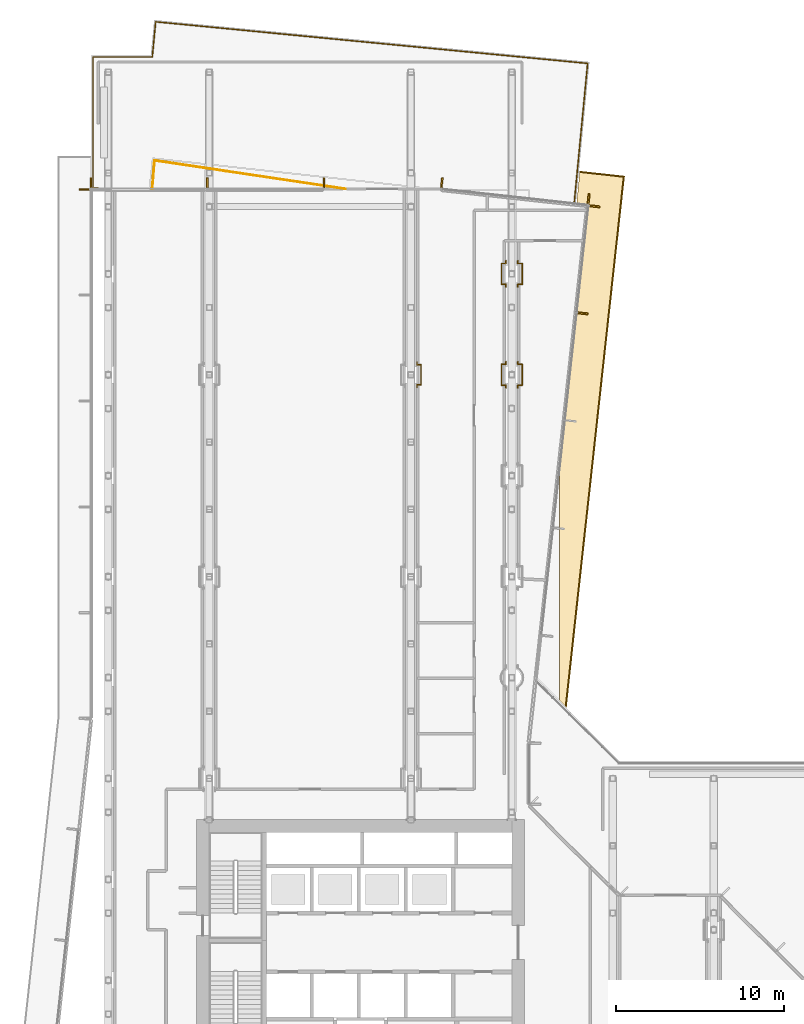
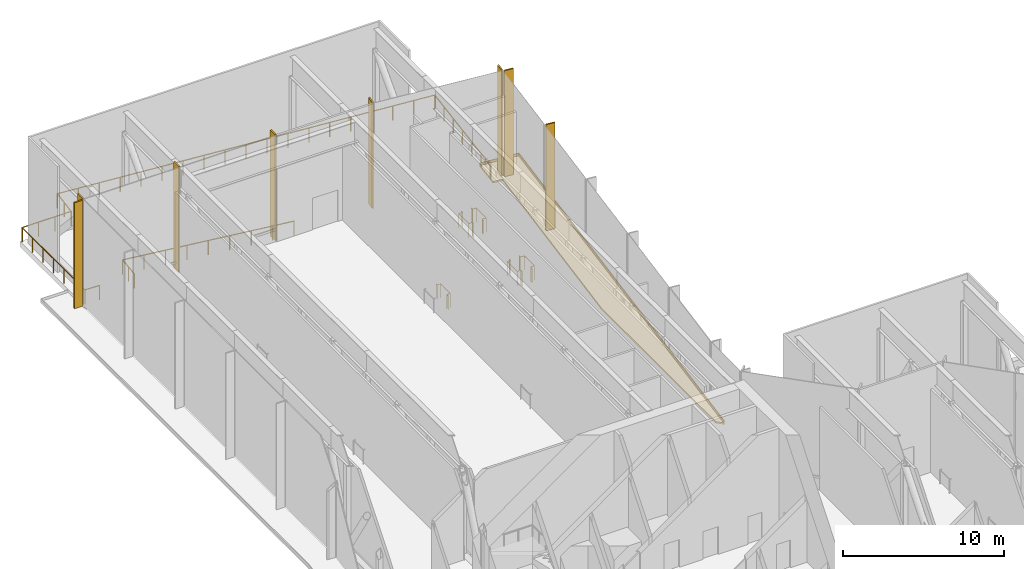
# One storey, part 23 of 24: 10 coverings, 7 railings.
"""IFC4 building model written with IfcOpenShell, lengths in metres."""

from ifc_helpers import new_model, si_unit, direction, frame, origin, origin_2d, place, context, subcontext, project, spatial, polyline, rectangle, circle, outline, extrude, material, layer, layer_set, type_object, element, save


model = new_model("IFC4")

# Units and contexts
model_context = context("Model", 3, precision=1e-05, world=origin(), true_north=direction((0.0, 1.0)))
body_context = subcontext(model_context, "Body", "Model", "MODEL_VIEW")
ifc_project = project(units=[si_unit("LENGTHUNIT", "METRE"), si_unit("AREAUNIT", "SQUARE_METRE"), si_unit("VOLUMEUNIT", "CUBIC_METRE"), si_unit("PLANEANGLEUNIT", "RADIAN"), si_unit("MASSUNIT", "GRAM", prefix="KILO")], contexts=[model_context])

# Site, building, storey
site_placement = place(None, origin())
site = spatial("IfcSite", under=ifc_project, at=site_placement, CompositionType="ELEMENT")
building_placement = place(site_placement, origin())
building = spatial("IfcBuilding", under=site, at=building_placement, Name="Welwitschia Terrace Campus", CompositionType="ELEMENT")
storey_placement = place(building_placement, frame((0.0, 0.0, 138.199951171875)))
storey = spatial("IfcBuildingStorey", under=building, at=storey_placement, Name="L31", CompositionType="ELEMENT", Elevation=138.199951171875)

# Coverings
ifc_material_1 = material(Name="Bronze anodised aluminium", Category="aluminium")
ifc_layer_1 = layer(ifc_material_1, 0.10009765625)
ifc_layer_set_1 = layer_set([ifc_layer_1], Name="Bronze anodised aluminium")
covering_type_1 = type_object("IfcCoveringType", Name="Bronze fin 100x600", PredefinedType="USERDEFINED", material=ifc_layer_set_1)
for number, where, z_axis, x_axis, name in (
    (1, (28.228271484375, 55.653564453125, 0.0), (0.0, 0.0, 1.0), (0.108866874852, 0.994056338222, 0.0), "Fin L31.10.4"),
    (2, (28.92529296875, 62.0166015625, 0.0), (0.0, 0.0, 1.0), (0.108866874852, 0.994056338222, 0.0), "Fin L31.10.5"),
    (3, (28.562255859375, 62.468994140625, 0.0), (0.0, 0.0, 1.0), (-0.994056338222, 0.108866874852, 0.0), "Fin L31.11.0"),
    (4, (19.8369140625, 63.424560546875, 0.0), (0.0, 0.0, 1.0), (-0.994056338222, 0.108866874852, 0.0), "Fin L31.11.1"),
    (5, (12.8271484375, 63.429931640625, 0.0), (0.0, 0.0, 1.0), (-1.0, 0.0, 0.0), "Fin L31.12.1"),
    (6, (5.888671875, 63.429931640625, 0.0), (0.0, 0.0, 1.0), (-1.0, 0.0, 0.0), "Fin L31.12.2"),
    (7, (-1.02001953125, 63.429931640625, 0.0), (0.0, 0.0, 1.0), (-1.0, 0.0, 0.0), "Fin L31.12.3"),
    (8, (-1.429931640625, 63.02001953125, 0.0), (0.0, 0.0, 1.0), (0.0, -1.0, 0.0), "Fin L31.13.0"),
):
    element("IfcCovering", number, at=place(storey_placement, frame(where, z_axis=z_axis, x_axis=x_axis)), inside=storey, type_object=covering_type_1, Name=name, ObjectType="FIN", PredefinedType="USERDEFINED", context=body_context, shape_type="SweptSolid", body=[
        extrude(rectangle(XDim=0.10009765625, YDim=0.60009765625, at=origin_2d()), origin(), (0.0, 0.0, 1.0), 8.050048828125),
    ])

# Railings
ifc_material_2 = material(Name="Stainless steel grade 316", Category="steel")
railing_type = type_object("IfcRailingType", Name="Guard 1100", PredefinedType="GUARDRAIL", material=ifc_material_2)
railing_1_placement = place(storey_placement, frame((0.114990234375, 63.050048828125, 0.0)))
element("IfcRailing", 9, at=railing_1_placement, inside=storey, type_object=railing_type, Name="Guard terrace L31:1:0.0", PredefinedType="GUARDRAIL", context=body_context, shape_type="SweptSolid", body=[
    extrude(circle(Radius=0.02392578125, at=origin_2d()), frame((0.0, 0.0, 1.076171875), z_axis=(-0.998786257848, 0.049254554452, 0.0), x_axis=(-0.049254554452, -0.998786257848, 0.0)), (0.0, 0.0, 1.0), 1.01611328125),
    extrude(circle(Radius=0.02392578125, at=origin_2d()), frame((-1.014892578125, 0.050048828125, 1.076171875), z_axis=(0.0, 1.0, 0.0), x_axis=(-1.0, 0.0, 0.0)), (0.0, 0.0, 1.0), 7.7998046875),
    extrude(circle(Radius=0.02392578125, at=origin_2d()), frame((-1.014892578125, 7.849853515625, 1.076171875), z_axis=(1.0, 0.0, 0.0), x_axis=(0.0, 1.0, 0.0)), (0.0, 0.0, 1.0), 3.522705078125),
    extrude(circle(Radius=0.02392578125, at=origin_2d()), frame((2.5078125, 7.849853515625, 1.076171875), z_axis=(0.095858884916, 0.995394933774, 0.0), x_axis=(-0.995394933774, 0.095858884916, 0.0)), (0.0, 0.0, 1.0), 2.09619140625),
    extrude(circle(Radius=0.02392578125, at=origin_2d()), frame((2.708740234375, 9.936279296875, 1.076171875), z_axis=(0.995395964785, -0.095848178336, 0.0), x_axis=(0.095848178336, 0.995395964785, 0.0)), (0.0, 0.0, 1.0), 25.80029296875),
    extrude(circle(Radius=0.02392578125, at=origin_2d()), frame((28.39013671875, 7.46337890625, 1.076171875), z_axis=(-0.095951362953, -0.995386023585, 0.0), x_axis=(0.995386023585, -0.095951362953, 0.0)), (0.0, 0.0, 1.0), 8.37109375),
    extrude(circle(Radius=0.02099609375, at=origin_2d()), origin(), (0.0, 0.0, 1.0), 1.052001953125),
    extrude(circle(Radius=0.02099609375, at=origin_2d()), frame((-1.014892578125, 0.050048828125, 0.0)), (0.0, 0.0, 1.0), 1.052001953125),
    extrude(circle(Radius=0.02099609375, at=origin_2d()), frame((-1.014892578125, 1.35009765625, 0.0)), (0.0, 0.0, 1.0), 1.052001953125),
    extrude(circle(Radius=0.02099609375, at=origin_2d()), frame((-1.014892578125, 2.64990234375, 0.0)), (0.0, 0.0, 1.0), 1.052001953125),
    extrude(circle(Radius=0.02099609375, at=origin_2d()), frame((-1.014892578125, 3.949951171875, 0.0)), (0.0, 0.0, 1.0), 1.052001953125),
    extrude(circle(Radius=0.02099609375, at=origin_2d()), frame((-1.014892578125, 5.25, 0.0)), (0.0, 0.0, 1.0), 1.052001953125),
    extrude(circle(Radius=0.02099609375, at=origin_2d()), frame((-1.014892578125, 6.5498046875, 0.0)), (0.0, 0.0, 1.0), 1.052001953125),
    extrude(circle(Radius=0.02099609375, at=origin_2d()), frame((-1.014892578125, 7.849853515625, 0.0)), (0.0, 0.0, 1.0), 1.052001953125),
    extrude(circle(Radius=0.02099609375, at=origin_2d()), frame((0.159423828125, 7.849853515625, 0.0)), (0.0, 0.0, 1.0), 1.052001953125),
    extrude(circle(Radius=0.02099609375, at=origin_2d()), frame((1.33349609375, 7.849853515625, 0.0)), (0.0, 0.0, 1.0), 1.052001953125),
    extrude(circle(Radius=0.02099609375, at=origin_2d()), frame((2.5078125, 7.849853515625, 0.0)), (0.0, 0.0, 1.0), 1.052001953125),
    extrude(circle(Radius=0.02099609375, at=origin_2d()), frame((2.6083984375, 8.89306640625, 0.0)), (0.0, 0.0, 1.0), 1.052001953125),
    extrude(circle(Radius=0.02099609375, at=origin_2d()), frame((2.708740234375, 9.936279296875, 0.0)), (0.0, 0.0, 1.0), 1.052001953125),
    extrude(circle(Radius=0.02099609375, at=origin_2d()), frame((4.135498046875, 9.798828125, 0.0)), (0.0, 0.0, 1.0), 1.052001953125),
    extrude(circle(Radius=0.02099609375, at=origin_2d()), frame((5.562255859375, 9.66162109375, 0.0)), (0.0, 0.0, 1.0), 1.052001953125),
    extrude(circle(Radius=0.02099609375, at=origin_2d()), frame((6.989013671875, 9.524169921875, 0.0)), (0.0, 0.0, 1.0), 1.052001953125),
    extrude(circle(Radius=0.02099609375, at=origin_2d()), frame((8.415771484375, 9.38671875, 0.0)), (0.0, 0.0, 1.0), 1.052001953125),
    extrude(circle(Radius=0.02099609375, at=origin_2d()), frame((9.842529296875, 9.249267578125, 0.0)), (0.0, 0.0, 1.0), 1.052001953125),
    extrude(circle(Radius=0.02099609375, at=origin_2d()), frame((11.269287109375, 9.112060546875, 0.0)), (0.0, 0.0, 1.0), 1.052001953125),
    extrude(circle(Radius=0.02099609375, at=origin_2d()), frame((12.696044921875, 8.974609375, 0.0)), (0.0, 0.0, 1.0), 1.052001953125),
    extrude(circle(Radius=0.02099609375, at=origin_2d()), frame((14.122802734375, 8.837158203125, 0.0)), (0.0, 0.0, 1.0), 1.052001953125),
    extrude(circle(Radius=0.02099609375, at=origin_2d()), frame((15.54931640625, 8.69970703125, 0.0)), (0.0, 0.0, 1.0), 1.052001953125),
    extrude(circle(Radius=0.02099609375, at=origin_2d()), frame((16.97607421875, 8.5625, 0.0)), (0.0, 0.0, 1.0), 1.052001953125),
    extrude(circle(Radius=0.02099609375, at=origin_2d()), frame((18.40283203125, 8.425048828125, 0.0)), (0.0, 0.0, 1.0), 1.052001953125),
    extrude(circle(Radius=0.02099609375, at=origin_2d()), frame((19.82958984375, 8.28759765625, 0.0)), (0.0, 0.0, 1.0), 1.052001953125),
    extrude(circle(Radius=0.02099609375, at=origin_2d()), frame((21.25634765625, 8.150390625, 0.0)), (0.0, 0.0, 1.0), 1.052001953125),
    extrude(circle(Radius=0.02099609375, at=origin_2d()), frame((22.68310546875, 8.012939453125, 0.0)), (0.0, 0.0, 1.0), 1.052001953125),
    extrude(circle(Radius=0.02099609375, at=origin_2d()), frame((24.10986328125, 7.87548828125, 0.0)), (0.0, 0.0, 1.0), 1.052001953125),
    extrude(circle(Radius=0.02099609375, at=origin_2d()), frame((25.53662109375, 7.738037109375, 0.0)), (0.0, 0.0, 1.0), 1.052001953125),
    extrude(circle(Radius=0.02099609375, at=origin_2d()), frame((26.96337890625, 7.600830078125, 0.0)), (0.0, 0.0, 1.0), 1.052001953125),
    extrude(circle(Radius=0.02099609375, at=origin_2d()), frame((28.39013671875, 7.46337890625, 0.0)), (0.0, 0.0, 1.0), 1.052001953125),
    extrude(circle(Radius=0.02099609375, at=origin_2d()), frame((28.25634765625, 6.07470703125, 0.0)), (0.0, 0.0, 1.0), 1.052001953125),
    extrude(circle(Radius=0.02099609375, at=origin_2d()), frame((28.122314453125, 4.685791015625, 0.0)), (0.0, 0.0, 1.0), 1.052001953125),
    extrude(circle(Radius=0.02099609375, at=origin_2d()), frame((27.988525390625, 3.297119140625, 0.0)), (0.0, 0.0, 1.0), 1.052001953125),
    extrude(circle(Radius=0.02099609375, at=origin_2d()), frame((27.854736328125, 1.908447265625, 0.0)), (0.0, 0.0, 1.0), 1.052001953125),
    extrude(circle(Radius=0.02099609375, at=origin_2d()), frame((27.720703125, 0.51953125, 0.0)), (0.0, 0.0, 1.0), 1.052001953125),
    extrude(circle(Radius=0.02099609375, at=origin_2d()), frame((27.5869140625, -0.869140625, 0.0)), (0.0, 0.0, 1.0), 1.052001953125),
])
railing_2_placement = place(storey_placement, frame((2.620361328125, 63.050048828125, 0.0)))
element("IfcRailing", 10, at=railing_2_placement, inside=storey, type_object=railing_type, Name="Guard floor edge L31.1", PredefinedType="GUARDRAIL", context=body_context, shape_type="SweptSolid", body=[
    extrude(circle(Radius=0.02392578125, at=origin_2d()), frame((0.0, 0.0, 1.076171875), z_axis=(0.080128301181, 0.996784558142, 0.0), x_axis=(-0.996784558142, 0.080128301181, 0.0)), (0.0, 0.0, 1.0), 1.697021484375),
    extrude(circle(Radius=0.02392578125, at=origin_2d()), frame((0.135986328125, 1.691650390625, 1.076171875), z_axis=(0.989053507136, -0.147557310975, 0.0), x_axis=(0.147557310975, 0.989053507136, 0.0)), (0.0, 0.0, 1.0), 11.46435546875),
    extrude(circle(Radius=0.02099609375, at=origin_2d()), origin(), (0.0, 0.0, 1.0), 1.052001953125),
    extrude(circle(Radius=0.02099609375, at=origin_2d()), frame((0.06787109375, 0.845703125, 0.0)), (0.0, 0.0, 1.0), 1.052001953125),
    extrude(circle(Radius=0.02099609375, at=origin_2d()), frame((0.135986328125, 1.691650390625, 0.0)), (0.0, 0.0, 1.0), 1.052001953125),
    extrude(circle(Radius=0.02099609375, at=origin_2d()), frame((1.55322265625, 1.480224609375, 0.0)), (0.0, 0.0, 1.0), 1.052001953125),
    extrude(circle(Radius=0.02099609375, at=origin_2d()), frame((2.970703125, 1.268798828125, 0.0)), (0.0, 0.0, 1.0), 1.052001953125),
    extrude(circle(Radius=0.02099609375, at=origin_2d()), frame((4.38818359375, 1.057373046875, 0.0)), (0.0, 0.0, 1.0), 1.052001953125),
    extrude(circle(Radius=0.02099609375, at=origin_2d()), frame((5.805419921875, 0.845703125, 0.0)), (0.0, 0.0, 1.0), 1.052001953125),
    extrude(circle(Radius=0.02099609375, at=origin_2d()), frame((7.22265625, 0.63427734375, 0.0)), (0.0, 0.0, 1.0), 1.052001953125),
    extrude(circle(Radius=0.02099609375, at=origin_2d()), frame((8.64013671875, 0.4228515625, 0.0)), (0.0, 0.0, 1.0), 1.052001953125),
    extrude(circle(Radius=0.02099609375, at=origin_2d()), frame((10.0576171875, 0.21142578125, 0.0)), (0.0, 0.0, 1.0), 1.052001953125),
    extrude(circle(Radius=0.02099609375, at=origin_2d()), frame((11.474853515625, 0.0, 0.0)), (0.0, 0.0, 1.0), 1.052001953125),
])
railing_3_placement = place(storey_placement, frame((23.64501953125, 52.780029296875, 0.0)))
element("IfcRailing", 11, at=railing_3_placement, inside=storey, type_object=railing_type, Name="Guard floor edge L31.14", PredefinedType="GUARDRAIL", context=body_context, shape_type="SweptSolid", body=[
    extrude(circle(Radius=0.02392578125, at=origin_2d()), frame((0.0, 0.0, 1.076171875), z_axis=(0.0, -1.0, 0.0), x_axis=(1.0, 0.0, 0.0)), (0.0, 0.0, 1.0), 0.159912109375),
    extrude(circle(Radius=0.02392578125, at=origin_2d()), frame((0.0, -0.159912109375, 1.076171875), z_axis=(-1.0, 0.0, 0.0), x_axis=(0.0, -1.0, 0.0)), (0.0, 0.0, 1.0), 0.26513671875),
    extrude(circle(Radius=0.02392578125, at=origin_2d()), frame((-0.26513671875, -0.159912109375, 1.076171875), z_axis=(0.0, -1.0, 0.0), x_axis=(1.0, 0.0, 0.0)), (0.0, 0.0, 1.0), 1.240234375),
    extrude(circle(Radius=0.02392578125, at=origin_2d()), frame((-0.26513671875, -1.400146484375, 1.076171875), z_axis=(1.0, 0.0, 0.0), x_axis=(0.0, 1.0, 0.0)), (0.0, 0.0, 1.0), 0.26513671875),
    extrude(circle(Radius=0.02392578125, at=origin_2d()), frame((0.0, -1.400146484375, 1.076171875), z_axis=(0.0, -1.0, 0.0), x_axis=(1.0, 0.0, 0.0)), (0.0, 0.0, 1.0), 0.159912109375),
    extrude(circle(Radius=0.02099609375, at=origin_2d()), origin(), (0.0, 0.0, 1.0), 1.052001953125),
    extrude(circle(Radius=0.02099609375, at=origin_2d()), frame((0.0, -0.159912109375, 0.0)), (0.0, 0.0, 1.0), 1.052001953125),
    extrude(circle(Radius=0.02099609375, at=origin_2d()), frame((-0.26513671875, -0.159912109375, 0.0)), (0.0, 0.0, 1.0), 1.052001953125),
    extrude(circle(Radius=0.02099609375, at=origin_2d()), frame((-0.26513671875, -1.400146484375, 0.0)), (0.0, 0.0, 1.0), 1.052001953125),
    extrude(circle(Radius=0.02099609375, at=origin_2d()), frame((0.0, -1.400146484375, 0.0)), (0.0, 0.0, 1.0), 1.052001953125),
    extrude(circle(Radius=0.02099609375, at=origin_2d()), frame((0.0, -1.56005859375, 0.0)), (0.0, 0.0, 1.0), 1.052001953125),
])
railing_4_placement = place(storey_placement, frame((24.35498046875, 51.219970703125, 0.0)))
element("IfcRailing", 12, at=railing_4_placement, inside=storey, type_object=railing_type, Name="Guard floor edge L31.15", PredefinedType="GUARDRAIL", context=body_context, shape_type="SweptSolid", body=[
    extrude(circle(Radius=0.02392578125, at=origin_2d()), frame((0.0, 0.0, 1.076171875), z_axis=(0.0, 1.0, 0.0), x_axis=(-1.0, 0.0, 0.0)), (0.0, 0.0, 1.0), 0.159912109375),
    extrude(circle(Radius=0.02392578125, at=origin_2d()), frame((0.0, 0.159912109375, 1.076171875), z_axis=(1.0, 0.0, 0.0), x_axis=(0.0, 1.0, 0.0)), (0.0, 0.0, 1.0), 0.26513671875),
    extrude(circle(Radius=0.02392578125, at=origin_2d()), frame((0.26513671875, 0.159912109375, 1.076171875), z_axis=(0.0, 1.0, 0.0), x_axis=(-1.0, 0.0, 0.0)), (0.0, 0.0, 1.0), 1.240234375),
    extrude(circle(Radius=0.02392578125, at=origin_2d()), frame((0.26513671875, 1.400146484375, 1.076171875), z_axis=(-1.0, 0.0, 0.0), x_axis=(0.0, -1.0, 0.0)), (0.0, 0.0, 1.0), 0.26513671875),
    extrude(circle(Radius=0.02392578125, at=origin_2d()), frame((0.0, 1.400146484375, 1.076171875), z_axis=(0.0, 1.0, 0.0), x_axis=(-1.0, 0.0, 0.0)), (0.0, 0.0, 1.0), 0.159912109375),
    extrude(circle(Radius=0.02099609375, at=origin_2d()), origin(), (0.0, 0.0, 1.0), 1.052001953125),
    extrude(circle(Radius=0.02099609375, at=origin_2d()), frame((0.0, 0.159912109375, 0.0)), (0.0, 0.0, 1.0), 1.052001953125),
    extrude(circle(Radius=0.02099609375, at=origin_2d()), frame((0.26513671875, 0.159912109375, 0.0)), (0.0, 0.0, 1.0), 1.052001953125),
    extrude(circle(Radius=0.02099609375, at=origin_2d()), frame((0.26513671875, 1.400146484375, 0.0)), (0.0, 0.0, 1.0), 1.052001953125),
    extrude(circle(Radius=0.02099609375, at=origin_2d()), frame((0.0, 1.400146484375, 0.0)), (0.0, 0.0, 1.0), 1.052001953125),
    extrude(circle(Radius=0.02099609375, at=origin_2d()), frame((0.0, 1.56005859375, 0.0)), (0.0, 0.0, 1.0), 1.052001953125),
])
railing_5_placement = place(storey_placement, frame((23.64501953125, 58.780029296875, 0.0)))
element("IfcRailing", 13, at=railing_5_placement, inside=storey, type_object=railing_type, Name="Guard floor edge L31.16", PredefinedType="GUARDRAIL", context=body_context, shape_type="SweptSolid", body=[
    extrude(circle(Radius=0.02392578125, at=origin_2d()), frame((0.0, 0.0, 1.076171875), z_axis=(0.0, -1.0, 0.0), x_axis=(1.0, 0.0, 0.0)), (0.0, 0.0, 1.0), 0.159912109375),
    extrude(circle(Radius=0.02392578125, at=origin_2d()), frame((0.0, -0.159912109375, 1.076171875), z_axis=(-1.0, 0.0, 0.0), x_axis=(0.0, -1.0, 0.0)), (0.0, 0.0, 1.0), 0.26513671875),
    extrude(circle(Radius=0.02392578125, at=origin_2d()), frame((-0.26513671875, -0.159912109375, 1.076171875), z_axis=(0.0, -1.0, 0.0), x_axis=(1.0, 0.0, 0.0)), (0.0, 0.0, 1.0), 1.240234375),
    extrude(circle(Radius=0.02392578125, at=origin_2d()), frame((-0.26513671875, -1.400146484375, 1.076171875), z_axis=(1.0, 0.0, 0.0), x_axis=(0.0, 1.0, 0.0)), (0.0, 0.0, 1.0), 0.26513671875),
    extrude(circle(Radius=0.02392578125, at=origin_2d()), frame((0.0, -1.400146484375, 1.076171875), z_axis=(0.0, -1.0, 0.0), x_axis=(1.0, 0.0, 0.0)), (0.0, 0.0, 1.0), 0.159912109375),
    extrude(circle(Radius=0.02099609375, at=origin_2d()), origin(), (0.0, 0.0, 1.0), 1.052001953125),
    extrude(circle(Radius=0.02099609375, at=origin_2d()), frame((0.0, -0.159912109375, 0.0)), (0.0, 0.0, 1.0), 1.052001953125),
    extrude(circle(Radius=0.02099609375, at=origin_2d()), frame((-0.26513671875, -0.159912109375, 0.0)), (0.0, 0.0, 1.0), 1.052001953125),
    extrude(circle(Radius=0.02099609375, at=origin_2d()), frame((-0.26513671875, -1.400146484375, 0.0)), (0.0, 0.0, 1.0), 1.052001953125),
    extrude(circle(Radius=0.02099609375, at=origin_2d()), frame((0.0, -1.400146484375, 0.0)), (0.0, 0.0, 1.0), 1.052001953125),
    extrude(circle(Radius=0.02099609375, at=origin_2d()), frame((0.0, -1.56005859375, 0.0)), (0.0, 0.0, 1.0), 1.052001953125),
])
railing_6_placement = place(storey_placement, frame((24.35498046875, 57.219970703125, 0.0)))
element("IfcRailing", 14, at=railing_6_placement, inside=storey, type_object=railing_type, Name="Guard floor edge L31.17", PredefinedType="GUARDRAIL", context=body_context, shape_type="SweptSolid", body=[
    extrude(circle(Radius=0.02392578125, at=origin_2d()), frame((0.0, 0.0, 1.076171875), z_axis=(0.0, 1.0, 0.0), x_axis=(-1.0, 0.0, 0.0)), (0.0, 0.0, 1.0), 0.159912109375),
    extrude(circle(Radius=0.02392578125, at=origin_2d()), frame((0.0, 0.159912109375, 1.076171875), z_axis=(1.0, 0.0, 0.0), x_axis=(0.0, 1.0, 0.0)), (0.0, 0.0, 1.0), 0.26513671875),
    extrude(circle(Radius=0.02392578125, at=origin_2d()), frame((0.26513671875, 0.159912109375, 1.076171875), z_axis=(0.0, 1.0, 0.0), x_axis=(-1.0, 0.0, 0.0)), (0.0, 0.0, 1.0), 1.240234375),
    extrude(circle(Radius=0.02392578125, at=origin_2d()), frame((0.26513671875, 1.400146484375, 1.076171875), z_axis=(-1.0, 0.0, 0.0), x_axis=(0.0, -1.0, 0.0)), (0.0, 0.0, 1.0), 0.26513671875),
    extrude(circle(Radius=0.02392578125, at=origin_2d()), frame((0.0, 1.400146484375, 1.076171875), z_axis=(0.0, 1.0, 0.0), x_axis=(-1.0, 0.0, 0.0)), (0.0, 0.0, 1.0), 0.159912109375),
    extrude(circle(Radius=0.02099609375, at=origin_2d()), origin(), (0.0, 0.0, 1.0), 1.052001953125),
    extrude(circle(Radius=0.02099609375, at=origin_2d()), frame((0.0, 0.159912109375, 0.0)), (0.0, 0.0, 1.0), 1.052001953125),
    extrude(circle(Radius=0.02099609375, at=origin_2d()), frame((0.26513671875, 0.159912109375, 0.0)), (0.0, 0.0, 1.0), 1.052001953125),
    extrude(circle(Radius=0.02099609375, at=origin_2d()), frame((0.26513671875, 1.400146484375, 0.0)), (0.0, 0.0, 1.0), 1.052001953125),
    extrude(circle(Radius=0.02099609375, at=origin_2d()), frame((0.0, 1.400146484375, 0.0)), (0.0, 0.0, 1.0), 1.052001953125),
    extrude(circle(Radius=0.02099609375, at=origin_2d()), frame((0.0, 1.56005859375, 0.0)), (0.0, 0.0, 1.0), 1.052001953125),
])
railing_7_placement = place(storey_placement, frame((18.35498046875, 51.2451171875, 0.0)))
element("IfcRailing", 15, at=railing_7_placement, inside=storey, type_object=railing_type, Name="Guard floor edge L31.25", PredefinedType="GUARDRAIL", context=body_context, shape_type="SweptSolid", body=[
    extrude(circle(Radius=0.02392578125, at=origin_2d()), frame((0.0, 0.0, 1.076171875), z_axis=(0.0, 1.0, 0.0), x_axis=(-1.0, 0.0, 0.0)), (0.0, 0.0, 1.0), 0.159912109375),
    extrude(circle(Radius=0.02392578125, at=origin_2d()), frame((0.0, 0.159912109375, 1.076171875), z_axis=(1.0, 0.0, 0.0), x_axis=(0.0, 1.0, 0.0)), (0.0, 0.0, 1.0), 0.239990234375),
    extrude(circle(Radius=0.02392578125, at=origin_2d()), frame((0.239990234375, 0.159912109375, 1.076171875), z_axis=(0.0, 1.0, 0.0), x_axis=(-1.0, 0.0, 0.0)), (0.0, 0.0, 1.0), 1.18994140625),
    extrude(circle(Radius=0.02392578125, at=origin_2d()), frame((0.239990234375, 1.349853515625, 1.076171875), z_axis=(-1.0, 0.0, 0.0), x_axis=(0.0, -1.0, 0.0)), (0.0, 0.0, 1.0), 0.239990234375),
    extrude(circle(Radius=0.02392578125, at=origin_2d()), frame((0.0, 1.349853515625, 1.076171875), z_axis=(0.0, 1.0, 0.0), x_axis=(-1.0, 0.0, 0.0)), (0.0, 0.0, 1.0), 0.159912109375),
    extrude(circle(Radius=0.02099609375, at=origin_2d()), origin(), (0.0, 0.0, 1.0), 1.052001953125),
    extrude(circle(Radius=0.02099609375, at=origin_2d()), frame((0.0, 0.159912109375, 0.0)), (0.0, 0.0, 1.0), 1.052001953125),
    extrude(circle(Radius=0.02099609375, at=origin_2d()), frame((0.239990234375, 0.159912109375, 0.0)), (0.0, 0.0, 1.0), 1.052001953125),
    extrude(circle(Radius=0.02099609375, at=origin_2d()), frame((0.239990234375, 1.349853515625, 0.0)), (0.0, 0.0, 1.0), 1.052001953125),
    extrude(circle(Radius=0.02099609375, at=origin_2d()), frame((0.0, 1.349853515625, 0.0)), (0.0, 0.0, 1.0), 1.052001953125),
    extrude(circle(Radius=0.02099609375, at=origin_2d()), frame((0.0, 1.509765625, 0.0)), (0.0, 0.0, 1.0), 1.052001953125),
])

# Coverings
ifc_material_3 = material(Name="Bronze anodised aluminium", Category="aluminium")
ifc_layer_2 = layer(ifc_material_3, 0.1201171875)
ifc_layer_set_2 = layer_set([ifc_layer_2], Name="Bronze anodised aluminium")
covering_type_2 = type_object("IfcCoveringType", Name="Sunshade band 2000", PredefinedType="USERDEFINED", material=ifc_layer_set_2)
covering_1_placement = place(storey_placement, frame((0.0, 0.0, -0.300048828125)))
element("IfcCovering", 16, at=covering_1_placement, inside=storey, type_object=covering_type_2, Name="SUNSHADE L31.SE1", ObjectType="SUNSHADE", PredefinedType="USERDEFINED", context=body_context, shape_type="SweptSolid", body=[
    extrude(outline(polyline([(27.24365234375, 32.2412109375), (26.8349609375, 32.64990234375), (26.8349609375, 46.881591796875), (28.49560546875, 62.043701171875), (27.846923828125, 62.11474609375), (28.038818359375, 64.105712890625), (30.701416015625, 63.81396484375), (27.24365234375, 32.2412109375)])), origin(), (0.0, 0.0, 1.0), 0.1201171875),
])
ifc_material_4 = material(Name="Bronze anodised aluminium", Category="aluminium")
ifc_layer_3 = layer(ifc_material_4, 0.06005859375)
ifc_layer_set_3 = layer_set([ifc_layer_3], Name="Bronze anodised aluminium")
covering_type_3 = type_object("IfcCoveringType", Name="Sunshade lip 60", PredefinedType="USERDEFINED", material=ifc_layer_set_3)
covering_2_placement = place(storey_placement, frame((0.0, 0.0, -0.179931640625)))
element("IfcCovering", 17, at=covering_2_placement, inside=storey, type_object=covering_type_3, Name="SUNSHADE LIP L31.SE1.0", ObjectType="SUNSHADE", PredefinedType="USERDEFINED", context=body_context, shape_type="SweptSolid", body=[
    extrude(outline(polyline([(27.189208984375, 32.295654296875), (30.63525390625, 63.760986328125), (28.032958984375, 64.0458984375), (28.038818359375, 64.105712890625), (30.701416015625, 63.81396484375), (27.24365234375, 32.2412109375), (27.189208984375, 32.295654296875)])), origin(), (0.0, 0.0, 1.0), 0.179931640625),
])

save(model, "model.ifc")
